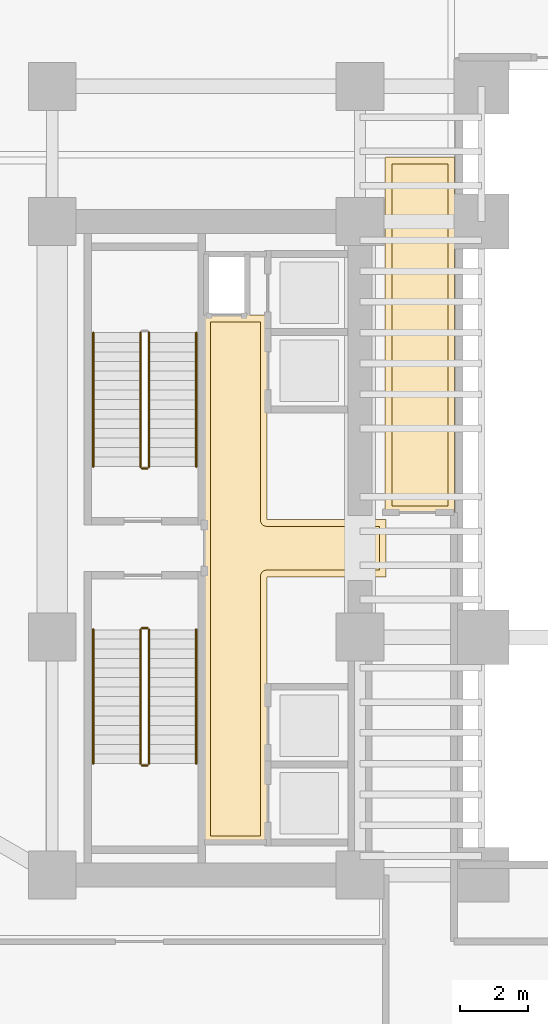
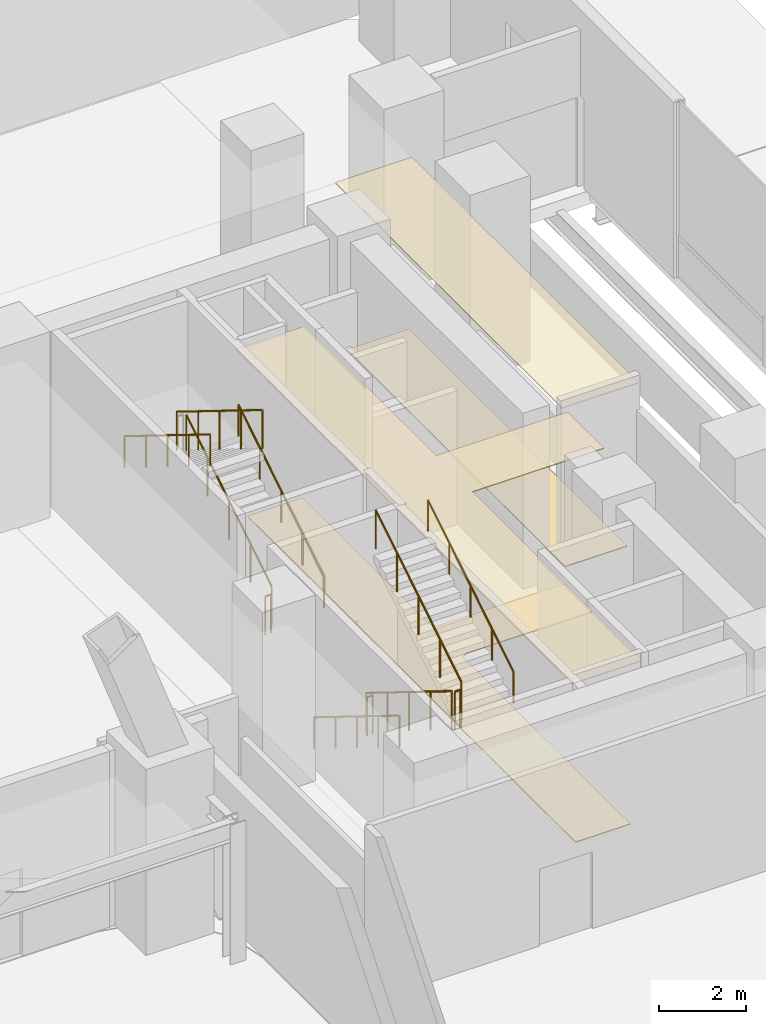
# One storey, part 23 of 27: 11 railings, 4 coverings.
"""IFC4 building model written with IfcOpenShell, lengths in metres."""

from ifc_helpers import new_model, si_unit, direction, frame, origin, origin_2d, place, context, subcontext, project, spatial, polyline, circle, outline, extrude, material, layer, layer_set, type_object, element, save


model = new_model("IFC4")

# Units and contexts
model_context = context("Model", 3, precision=1e-05, world=origin(), true_north=direction((0.0, 1.0)))
body_context = subcontext(model_context, "Body", "Model", "MODEL_VIEW")
ifc_project = project(units=[si_unit("LENGTHUNIT", "METRE"), si_unit("AREAUNIT", "SQUARE_METRE"), si_unit("VOLUMEUNIT", "CUBIC_METRE"), si_unit("PLANEANGLEUNIT", "RADIAN"), si_unit("MASSUNIT", "GRAM", prefix="KILO")], contexts=[model_context])

# Site, building, storey
site_placement = place(None, origin())
site = spatial("IfcSite", under=ifc_project, at=site_placement, CompositionType="ELEMENT")
building_placement = place(site_placement, origin())
building = spatial("IfcBuilding", under=site, at=building_placement, Name="Valdorenza Pilgrim Sanctuary Tower", CompositionType="ELEMENT")
storey_placement = place(building_placement, origin())
storey = spatial("IfcBuildingStorey", under=building, at=storey_placement, Name="L00", CompositionType="ELEMENT", Elevation=0.0)

# Coverings
ifc_material_1 = material(Name="Micro-perforated acoustic mineral ceiling tile", Category="gypsum")
ifc_layer_1 = layer(ifc_material_1, 0.02490234375, Name="Micro-perforated acoustic mineral ceiling tile")
ifc_layer_set_1 = layer_set([ifc_layer_1], Name="Micro-perforated acoustic mineral ceiling tile")
covering_type_1 = type_object("IfcCoveringType", Name="COV-CLG-ACU", PredefinedType="CEILING", material=ifc_layer_set_1)
covering_1_placement = place(storey_placement, frame((0.0, 0.0, 4.6201171875)))
element("IfcCovering", 1, at=covering_1_placement, inside=storey, type_object=covering_type_1, Name="L00 Core B Passenger Lift Lobby Acoustic Ceiling", PredefinedType="CEILING", context=body_context, shape_type="SweptSolid", body=[
    extrude(outline(polyline([(20.287109375, -0.814697265625), (20.287109375, 0.814697265625), (20.28662109375, 0.815185546875), (20.2861328125, 0.81640625), (20.28564453125, 0.81787109375), (20.285400390625, 0.819091796875), (20.28515625, 0.820556640625), (20.284912109375, 0.822021484375), (20.284912109375, 6.800048828125), (20.28515625, 6.801513671875), (20.285400390625, 6.802978515625), (20.28564453125, 6.804443359375), (20.2861328125, 6.8056640625), (20.286865234375, 6.80712890625), (20.28759765625, 6.808349609375), (20.288330078125, 6.8095703125), (20.289306640625, 6.810546875), (20.29052734375, 6.8115234375), (20.291748046875, 6.8125), (20.29296875, 6.813232421875), (20.294189453125, 6.81396484375), (20.295654296875, 6.814453125), (20.297119140625, 6.814697265625), (20.298583984375, 6.81494140625), (20.300048828125, 6.81494140625), (20.347900390625, 6.81494140625), (20.349365234375, 6.81494140625), (20.350830078125, 6.814697265625), (20.352294921875, 6.814453125), (20.353515625, 6.81396484375), (20.35498046875, 6.813232421875), (20.35546875, 6.81298828125), (21.544677734375, 6.81298828125), (21.545166015625, 6.813232421875), (21.54638671875, 6.81396484375), (21.5478515625, 6.814453125), (21.54931640625, 6.814697265625), (21.550537109375, 6.81494140625), (21.552001953125, 6.81494140625), (22.1201171875, 6.81494140625), (22.12158203125, 6.81494140625), (22.122802734375, 6.814697265625), (22.12451171875, 6.814453125), (22.125732421875, 6.81396484375), (22.127197265625, 6.813232421875), (22.12841796875, 6.8125), (22.12939453125, 6.8115234375), (22.130615234375, 6.810546875), (22.131591796875, 6.8095703125), (22.132568359375, 6.808349609375), (22.13330078125, 6.80712890625), (22.1337890625, 6.8056640625), (22.134521484375, 6.804443359375), (22.134765625, 6.802978515625), (22.135009765625, 6.801513671875), (22.135009765625, 6.800048828125), (22.135009765625, 0.8349609375), (25.60009765625, 0.8349609375), (25.6015625, 0.8349609375), (25.602783203125, 0.834716796875), (25.6044921875, 0.83447265625), (25.605712890625, 0.833984375), (25.607177734375, 0.833251953125), (25.6083984375, 0.83251953125), (25.609619140625, 0.83154296875), (25.610595703125, 0.83056640625), (25.611572265625, 0.82958984375), (25.612548828125, 0.828369140625), (25.61328125, 0.8271484375), (25.614013671875, 0.82568359375), (25.614501953125, 0.824462890625), (25.61474609375, 0.822998046875), (25.614990234375, 0.821533203125), (25.614990234375, 0.820068359375), (25.614990234375, -0.820068359375), (25.614990234375, -0.821533203125), (25.61474609375, -0.822998046875), (25.614501953125, -0.824462890625), (25.614013671875, -0.82568359375), (25.61328125, -0.8271484375), (25.612548828125, -0.828369140625), (25.611572265625, -0.82958984375), (25.610595703125, -0.83056640625), (25.609619140625, -0.83154296875), (25.6083984375, -0.83251953125), (25.607177734375, -0.833251953125), (25.605712890625, -0.833984375), (25.6044921875, -0.83447265625), (25.602783203125, -0.834716796875), (25.6015625, -0.8349609375), (25.60009765625, -0.8349609375), (22.135009765625, -0.8349609375), (22.135009765625, -8.60009765625), (22.135009765625, -8.6015625), (22.134765625, -8.602783203125), (22.134521484375, -8.6044921875), (22.1337890625, -8.605712890625), (22.13330078125, -8.607177734375), (22.132568359375, -8.6083984375), (22.131591796875, -8.609619140625), (22.130615234375, -8.610595703125), (22.12939453125, -8.611572265625), (22.12841796875, -8.612548828125), (22.127197265625, -8.61328125), (22.125732421875, -8.614013671875), (22.12451171875, -8.614501953125), (22.122802734375, -8.61474609375), (22.12158203125, -8.614990234375), (22.1201171875, -8.614990234375), (20.300048828125, -8.614990234375), (20.298583984375, -8.614990234375), (20.297119140625, -8.61474609375), (20.295654296875, -8.614501953125), (20.294189453125, -8.614013671875), (20.29296875, -8.61328125), (20.291748046875, -8.612548828125), (20.29052734375, -8.611572265625), (20.289306640625, -8.610595703125), (20.288330078125, -8.609619140625), (20.28759765625, -8.6083984375), (20.286865234375, -8.607177734375), (20.2861328125, -8.605712890625), (20.28564453125, -8.6044921875), (20.285400390625, -8.602783203125), (20.28515625, -8.6015625), (20.284912109375, -8.60009765625), (20.284912109375, -0.822021484375), (20.28515625, -0.820556640625), (20.285400390625, -0.819091796875), (20.28564453125, -0.81787109375), (20.2861328125, -0.81640625), (20.28662109375, -0.815185546875), (20.287109375, -0.814697265625)])), origin(), (0.0, 0.0, 1.0), 0.02490234375),
])
covering_2_placement = place(storey_placement, frame((0.0, 0.0, 4.6201171875)))
element("IfcCovering", 2, at=covering_2_placement, inside=storey, type_object=covering_type_1, Name="L00 Grand Pilgrim Entrance East Concourse Acoustic Ceiling", PredefinedType="CEILING", context=body_context, shape_type="SweptSolid", body=[
    extrude(outline(polyline([(27.614990234375, 1.052001953125), (27.614990234375, 1.050537109375), (27.61474609375, 1.049072265625), (27.614501953125, 1.047607421875), (27.614013671875, 1.04638671875), (27.61328125, 1.044921875), (27.612548828125, 1.043701171875), (27.611572265625, 1.04248046875), (27.610595703125, 1.04150390625), (27.609619140625, 1.040283203125), (27.6083984375, 1.03955078125), (27.607177734375, 1.038818359375), (27.605712890625, 1.0380859375), (27.6044921875, 1.03759765625), (27.602783203125, 1.037353515625), (27.6015625, 1.037109375), (27.60009765625, 1.037109375), (25.60009765625, 1.037109375), (25.598388671875, 1.037109375), (25.59716796875, 1.037353515625), (25.595703125, 1.03759765625), (25.59423828125, 1.0380859375), (25.593017578125, 1.038818359375), (25.591796875, 1.03955078125), (25.590576171875, 1.040283203125), (25.58935546875, 1.04150390625), (25.58837890625, 1.04248046875), (25.58740234375, 1.043701171875), (25.5869140625, 1.044921875), (25.586181640625, 1.04638671875), (25.585693359375, 1.047607421875), (25.585205078125, 1.049072265625), (25.585205078125, 1.050537109375), (25.5849609375, 1.052001953125), (25.5849609375, 11.41796875), (25.585205078125, 11.41943359375), (25.585205078125, 11.4208984375), (25.585693359375, 11.42236328125), (25.586181640625, 11.423583984375), (25.5869140625, 11.425048828125), (25.58740234375, 11.42626953125), (25.58837890625, 11.427490234375), (25.58935546875, 11.4287109375), (25.590576171875, 11.4296875), (25.591796875, 11.430419921875), (25.593017578125, 11.43115234375), (25.59423828125, 11.431884765625), (25.595703125, 11.432373046875), (25.59716796875, 11.4326171875), (25.598388671875, 11.432861328125), (25.60009765625, 11.43310546875), (27.60009765625, 11.43310546875), (27.6015625, 11.432861328125), (27.602783203125, 11.4326171875), (27.6044921875, 11.432373046875), (27.605712890625, 11.431884765625), (27.607177734375, 11.43115234375), (27.6083984375, 11.430419921875), (27.609619140625, 11.4296875), (27.610595703125, 11.4287109375), (27.611572265625, 11.427490234375), (27.612548828125, 11.42626953125), (27.61328125, 11.425048828125), (27.614013671875, 11.423583984375), (27.614501953125, 11.42236328125), (27.61474609375, 11.4208984375), (27.614990234375, 11.41943359375), (27.614990234375, 11.41796875), (27.614990234375, 1.052001953125)])), origin(), (0.0, 0.0, 1.0), 0.02490234375),
])
ifc_material_2 = material(Name="Honed travertine stone flooring", Category="masonry")
ifc_layer_2 = layer(ifc_material_2, 0.030029296875, Name="Honed travertine stone flooring")
ifc_layer_set_2 = layer_set([ifc_layer_2], Name="Honed travertine stone flooring")
covering_type_2 = type_object("IfcCoveringType", Name="COV-FLR-TRV", PredefinedType="FLOORING", material=ifc_layer_set_2)
covering_3_placement = place(storey_placement, origin())
element("IfcCovering", 3, at=covering_3_placement, inside=storey, type_object=covering_type_2, Name="L00 Core B Passenger Lift Lobby Flooring", PredefinedType="FLOORING", context=body_context, shape_type="SweptSolid", body=[
    extrude(outline(polyline([(20.47998046875, 6.617919921875), (21.550048828125, 6.617919921875), (21.550537109375, 6.617919921875), (21.93994140625, 6.619384765625), (21.93994140625, 0.820068359375), (21.94091796875, 0.802490234375), (21.943603515625, 0.784912109375), (21.94775390625, 0.767578125), (21.95361328125, 0.751220703125), (21.961181640625, 0.735107421875), (21.97021484375, 0.719970703125), (21.98095703125, 0.705810546875), (21.99267578125, 0.692626953125), (22.005859375, 0.680908203125), (22.02001953125, 0.67041015625), (22.03515625, 0.661376953125), (22.051025390625, 0.65380859375), (22.067626953125, 0.647705078125), (22.0849609375, 0.6435546875), (22.102294921875, 0.640869140625), (22.1201171875, 0.639892578125), (25.419921875, 0.639892578125), (25.419921875, -0.639892578125), (22.1201171875, -0.639892578125), (22.102294921875, -0.640869140625), (22.0849609375, -0.6435546875), (22.067626953125, -0.647705078125), (22.051025390625, -0.65380859375), (22.03515625, -0.661376953125), (22.02001953125, -0.67041015625), (22.005859375, -0.680908203125), (21.99267578125, -0.692626953125), (21.98095703125, -0.705810546875), (21.97021484375, -0.719970703125), (21.961181640625, -0.735107421875), (21.95361328125, -0.751220703125), (21.94775390625, -0.767578125), (21.943603515625, -0.784912109375), (21.94091796875, -0.802490234375), (21.93994140625, -0.820068359375), (21.93994140625, -8.419921875), (20.47998046875, -8.419921875), (20.47998046875, -0.846923828125), (20.47998046875, -0.8466796875), (20.47998046875, -0.8466796875), (20.481689453125, -0.8291015625), (20.481689453125, -0.828857421875), (20.48193359375, -0.820068359375), (20.48193359375, 0.820068359375), (20.47998046875, 6.617919921875)])), origin(), (0.0, 0.0, 1.0), 0.02490234375),
])
covering_4_placement = place(storey_placement, origin())
element("IfcCovering", 4, at=covering_4_placement, inside=storey, type_object=covering_type_2, Name="L00 Grand Pilgrim Entrance East Concourse Flooring", PredefinedType="FLOORING", context=body_context, shape_type="SweptSolid", body=[
    extrude(outline(polyline([(27.419921875, 1.23193359375), (25.780029296875, 1.23193359375), (25.780029296875, 11.238037109375), (27.419921875, 11.238037109375), (27.419921875, 1.23193359375)])), origin(), (0.0, 0.0, 1.0), 0.02490234375),
])

# Railings
ifc_material_3 = material(Name="Stainless steel Grade 316", Category="steel")
railing_type_1 = type_object("IfcRailingType", Name="RLG-GRD-1120", PredefinedType="GUARDRAIL", material=ifc_material_3)
railing_1_placement = place(storey_placement, frame((18.679931640625, 2.3798828125, 0.17333984375)))
element("IfcRailing", 5, at=railing_1_placement, inside=storey, type_object=railing_type_1, Name="L00 ST-B1 stair guard 1", PredefinedType="GUARDRAIL", context=body_context, shape_type="SweptSolid", body=[
    extrude(circle(Radius=0.02392578125, at=origin_2d()), frame((0.0, 0.0, 1.076171875), z_axis=(0.0, 0.850266275192, 0.526352791643), x_axis=(-1.0, 0.0, 0.0)), (0.0, 0.0, 1.0), 4.610595703125),
    extrude(circle(Radius=0.02099609375, at=origin_2d()), origin(), (0.0, 0.0, 1.0), 1.052001953125),
    extrude(circle(Radius=0.02099609375, at=origin_2d()), frame((0.0, 0.97998046875, 0.606689453125)), (0.0, 0.0, 1.0), 1.052001953125),
    extrude(circle(Radius=0.02099609375, at=origin_2d()), frame((0.0, 1.9599609375, 1.21337890625)), (0.0, 0.0, 1.0), 1.052001953125),
    extrude(circle(Radius=0.02099609375, at=origin_2d()), frame((0.0, 2.940185546875, 1.820068359375)), (0.0, 0.0, 1.0), 1.052001953125),
    extrude(circle(Radius=0.02099609375, at=origin_2d()), frame((0.0, 3.920166015625, 2.4267578125)), (0.0, 0.0, 1.0), 1.052001953125),
])
railing_2_placement = place(storey_placement, frame((18.429931640625, 6.300048828125, 2.7734375)))
element("IfcRailing", 6, at=railing_2_placement, inside=storey, type_object=railing_type_1, Name="L00 ST-B1 stair guard 3", PredefinedType="GUARDRAIL", context=body_context, shape_type="SweptSolid", body=[
    extrude(circle(Radius=0.02392578125, at=origin_2d()), frame((0.0, 0.0, 1.076171875), z_axis=(0.0, -0.850289973577, 0.526314507528), x_axis=(1.0, 0.0, 0.0)), (0.0, 0.0, 1.0), 4.6103515625),
    extrude(circle(Radius=0.02099609375, at=origin_2d()), origin(), (0.0, 0.0, 1.0), 1.052001953125),
    extrude(circle(Radius=0.02099609375, at=origin_2d()), frame((0.0, -0.97998046875, 0.606689453125)), (0.0, 0.0, 1.0), 1.052001953125),
    extrude(circle(Radius=0.02099609375, at=origin_2d()), frame((0.0, -1.9599609375, 1.21337890625)), (0.0, 0.0, 1.0), 1.052001953125),
    extrude(circle(Radius=0.02099609375, at=origin_2d()), frame((0.0, -2.940185546875, 1.81982421875)), (0.0, 0.0, 1.0), 1.052001953125),
    extrude(circle(Radius=0.02099609375, at=origin_2d()), frame((0.0, -3.920166015625, 2.426513671875)), (0.0, 0.0, 1.0), 1.052001953125),
])
railing_3_placement = place(storey_placement, frame((18.6298828125, 2.330078125, 0.0)))
element("IfcRailing", 7, at=railing_3_placement, inside=storey, type_object=railing_type_1, Name="L00 ST-B1 stair guard 4", PredefinedType="GUARDRAIL", context=body_context, shape_type="SweptSolid", body=[
    extrude(circle(Radius=0.02392578125, at=origin_2d()), frame((0.0, 0.0, 1.076171875), z_axis=(-1.0, 0.0, 0.0), x_axis=(0.0, -1.0, 0.0)), (0.0, 0.0, 1.0), 0.14990234375),
    extrude(circle(Radius=0.02099609375, at=origin_2d()), origin(), (0.0, 0.0, 1.0), 1.052001953125),
    extrude(circle(Radius=0.02099609375, at=origin_2d()), frame((-0.14990234375, 0.0, 0.0)), (0.0, 0.0, 1.0), 1.052001953125),
])
railing_4_placement = place(storey_placement, frame((18.429931640625, -2.3798828125, 0.17333984375)))
element("IfcRailing", 8, at=railing_4_placement, inside=storey, type_object=railing_type_1, Name="L00 ST-B2 stair guard 1", PredefinedType="GUARDRAIL", context=body_context, shape_type="SweptSolid", body=[
    extrude(circle(Radius=0.02392578125, at=origin_2d()), frame((0.0, 0.0, 1.076171875), z_axis=(0.0, -0.850266275192, 0.526352791643), x_axis=(1.0, 0.0, 0.0)), (0.0, 0.0, 1.0), 4.610595703125),
    extrude(circle(Radius=0.02099609375, at=origin_2d()), origin(), (0.0, 0.0, 1.0), 1.052001953125),
    extrude(circle(Radius=0.02099609375, at=origin_2d()), frame((0.0, -0.97998046875, 0.606689453125)), (0.0, 0.0, 1.0), 1.052001953125),
    extrude(circle(Radius=0.02099609375, at=origin_2d()), frame((0.0, -1.9599609375, 1.21337890625)), (0.0, 0.0, 1.0), 1.052001953125),
    extrude(circle(Radius=0.02099609375, at=origin_2d()), frame((0.0, -2.940185546875, 1.820068359375)), (0.0, 0.0, 1.0), 1.052001953125),
    extrude(circle(Radius=0.02099609375, at=origin_2d()), frame((0.0, -3.920166015625, 2.4267578125)), (0.0, 0.0, 1.0), 1.052001953125),
])
railing_5_placement = place(storey_placement, frame((18.47998046875, -6.35009765625, 2.60009765625)))
element("IfcRailing", 9, at=railing_5_placement, inside=storey, type_object=railing_type_1, Name="L00 ST-B2 stair guard 2", PredefinedType="GUARDRAIL", context=body_context, shape_type="SweptSolid", body=[
    extrude(circle(Radius=0.02392578125, at=origin_2d()), frame((0.0, 0.0, 1.076171875), z_axis=(1.0, 0.0, 0.0), x_axis=(0.0, 1.0, 0.0)), (0.0, 0.0, 1.0), 0.14990234375),
    extrude(circle(Radius=0.02099609375, at=origin_2d()), origin(), (0.0, 0.0, 1.0), 1.052001953125),
    extrude(circle(Radius=0.02099609375, at=origin_2d()), frame((0.14990234375, 0.0, 0.0)), (0.0, 0.0, 1.0), 1.052001953125),
])
railing_6_placement = place(storey_placement, frame((18.679931640625, -6.300048828125, 2.7734375)))
element("IfcRailing", 10, at=railing_6_placement, inside=storey, type_object=railing_type_1, Name="L00 ST-B2 stair guard 3", PredefinedType="GUARDRAIL", context=body_context, shape_type="SweptSolid", body=[
    extrude(circle(Radius=0.02392578125, at=origin_2d()), frame((0.0, 0.0, 1.076171875), z_axis=(0.0, 0.850289973577, 0.526314507528), x_axis=(-1.0, 0.0, 0.0)), (0.0, 0.0, 1.0), 4.6103515625),
    extrude(circle(Radius=0.02099609375, at=origin_2d()), origin(), (0.0, 0.0, 1.0), 1.052001953125),
    extrude(circle(Radius=0.02099609375, at=origin_2d()), frame((0.0, 0.97998046875, 0.606689453125)), (0.0, 0.0, 1.0), 1.052001953125),
    extrude(circle(Radius=0.02099609375, at=origin_2d()), frame((0.0, 1.9599609375, 1.21337890625)), (0.0, 0.0, 1.0), 1.052001953125),
    extrude(circle(Radius=0.02099609375, at=origin_2d()), frame((0.0, 2.940185546875, 1.81982421875)), (0.0, 0.0, 1.0), 1.052001953125),
    extrude(circle(Radius=0.02099609375, at=origin_2d()), frame((0.0, 3.920166015625, 2.426513671875)), (0.0, 0.0, 1.0), 1.052001953125),
])
railing_7_placement = place(storey_placement, frame((18.47998046875, -2.330078125, 0.0)))
element("IfcRailing", 11, at=railing_7_placement, inside=storey, type_object=railing_type_1, Name="L00 ST-B2 stair guard 4", PredefinedType="GUARDRAIL", context=body_context, shape_type="SweptSolid", body=[
    extrude(circle(Radius=0.02392578125, at=origin_2d()), frame((0.0, 0.0, 1.076171875), z_axis=(1.0, 0.0, 0.0), x_axis=(0.0, 1.0, 0.0)), (0.0, 0.0, 1.0), 0.14990234375),
    extrude(circle(Radius=0.02099609375, at=origin_2d()), origin(), (0.0, 0.0, 1.0), 1.052001953125),
    extrude(circle(Radius=0.02099609375, at=origin_2d()), frame((0.14990234375, 0.0, 0.0)), (0.0, 0.0, 1.0), 1.052001953125),
])
ifc_material_4 = material(Name="Brushed stainless steel Grade 316", Category="steel")
railing_type_2 = type_object("IfcRailingType", Name="RLG-HND-920", PredefinedType="HANDRAIL", material=ifc_material_4)
railing_8_placement = place(storey_placement, frame((20.06005859375, 2.3798828125, 0.17333984375)))
element("IfcRailing", 12, at=railing_8_placement, inside=storey, type_object=railing_type_2, Name="L00 ST-B1 stair handrail 1", PredefinedType="HANDRAIL", context=body_context, shape_type="SweptSolid", body=[
    extrude(circle(Radius=0.02392578125, at=origin_2d()), frame((0.0, 0.0, 0.8759765625), z_axis=(0.0, 0.850266275192, 0.526352791643), x_axis=(-1.0, 0.0, 0.0)), (0.0, 0.0, 1.0), 4.610595703125),
    extrude(circle(Radius=0.02099609375, at=origin_2d()), origin(), (0.0, 0.0, 1.0), 0.851806640625),
    extrude(circle(Radius=0.02099609375, at=origin_2d()), frame((0.0, 0.97998046875, 0.606689453125)), (0.0, 0.0, 1.0), 0.851806640625),
    extrude(circle(Radius=0.02099609375, at=origin_2d()), frame((0.0, 1.9599609375, 1.21337890625)), (0.0, 0.0, 1.0), 0.851806640625),
    extrude(circle(Radius=0.02099609375, at=origin_2d()), frame((0.0, 2.940185546875, 1.820068359375)), (0.0, 0.0, 1.0), 0.851806640625),
    extrude(circle(Radius=0.02099609375, at=origin_2d()), frame((0.0, 3.920166015625, 2.4267578125)), (0.0, 0.0, 1.0), 0.851806640625),
])
railing_9_placement = place(storey_placement, frame((17.050048828125, 6.300048828125, 2.7734375)))
element("IfcRailing", 13, at=railing_9_placement, inside=storey, type_object=railing_type_2, Name="L00 ST-B1 stair handrail 2", PredefinedType="HANDRAIL", context=body_context, shape_type="SweptSolid", body=[
    extrude(circle(Radius=0.02392578125, at=origin_2d()), frame((0.0, 0.0, 0.8759765625), z_axis=(0.0, -0.850289973577, 0.526314507528), x_axis=(1.0, 0.0, 0.0)), (0.0, 0.0, 1.0), 4.6103515625),
    extrude(circle(Radius=0.02099609375, at=origin_2d()), origin(), (0.0, 0.0, 1.0), 0.851806640625),
    extrude(circle(Radius=0.02099609375, at=origin_2d()), frame((0.0, -0.97998046875, 0.606689453125)), (0.0, 0.0, 1.0), 0.851806640625),
    extrude(circle(Radius=0.02099609375, at=origin_2d()), frame((0.0, -1.9599609375, 1.21337890625)), (0.0, 0.0, 1.0), 0.851806640625),
    extrude(circle(Radius=0.02099609375, at=origin_2d()), frame((0.0, -2.940185546875, 1.81982421875)), (0.0, 0.0, 1.0), 0.851806640625),
    extrude(circle(Radius=0.02099609375, at=origin_2d()), frame((0.0, -3.920166015625, 2.426513671875)), (0.0, 0.0, 1.0), 0.851806640625),
])
railing_10_placement = place(storey_placement, frame((17.050048828125, -2.3798828125, 0.17333984375)))
element("IfcRailing", 14, at=railing_10_placement, inside=storey, type_object=railing_type_2, Name="L00 ST-B2 stair handrail 1", PredefinedType="HANDRAIL", context=body_context, shape_type="SweptSolid", body=[
    extrude(circle(Radius=0.02392578125, at=origin_2d()), frame((0.0, 0.0, 0.8759765625), z_axis=(0.0, -0.850266275192, 0.526352791643), x_axis=(1.0, 0.0, 0.0)), (0.0, 0.0, 1.0), 4.610595703125),
    extrude(circle(Radius=0.02099609375, at=origin_2d()), origin(), (0.0, 0.0, 1.0), 0.851806640625),
    extrude(circle(Radius=0.02099609375, at=origin_2d()), frame((0.0, -0.97998046875, 0.606689453125)), (0.0, 0.0, 1.0), 0.851806640625),
    extrude(circle(Radius=0.02099609375, at=origin_2d()), frame((0.0, -1.9599609375, 1.21337890625)), (0.0, 0.0, 1.0), 0.851806640625),
    extrude(circle(Radius=0.02099609375, at=origin_2d()), frame((0.0, -2.940185546875, 1.820068359375)), (0.0, 0.0, 1.0), 0.851806640625),
    extrude(circle(Radius=0.02099609375, at=origin_2d()), frame((0.0, -3.920166015625, 2.4267578125)), (0.0, 0.0, 1.0), 0.851806640625),
])
railing_11_placement = place(storey_placement, frame((20.06005859375, -6.300048828125, 2.7734375)))
element("IfcRailing", 15, at=railing_11_placement, inside=storey, type_object=railing_type_2, Name="L00 ST-B2 stair handrail 2", PredefinedType="HANDRAIL", context=body_context, shape_type="SweptSolid", body=[
    extrude(circle(Radius=0.02392578125, at=origin_2d()), frame((0.0, 0.0, 0.8759765625), z_axis=(0.0, 0.850289973577, 0.526314507528), x_axis=(-1.0, 0.0, 0.0)), (0.0, 0.0, 1.0), 4.6103515625),
    extrude(circle(Radius=0.02099609375, at=origin_2d()), origin(), (0.0, 0.0, 1.0), 0.851806640625),
    extrude(circle(Radius=0.02099609375, at=origin_2d()), frame((0.0, 0.97998046875, 0.606689453125)), (0.0, 0.0, 1.0), 0.851806640625),
    extrude(circle(Radius=0.02099609375, at=origin_2d()), frame((0.0, 1.9599609375, 1.21337890625)), (0.0, 0.0, 1.0), 0.851806640625),
    extrude(circle(Radius=0.02099609375, at=origin_2d()), frame((0.0, 2.940185546875, 1.81982421875)), (0.0, 0.0, 1.0), 0.851806640625),
    extrude(circle(Radius=0.02099609375, at=origin_2d()), frame((0.0, 3.920166015625, 2.426513671875)), (0.0, 0.0, 1.0), 0.851806640625),
])

save(model, "model.ifc")
